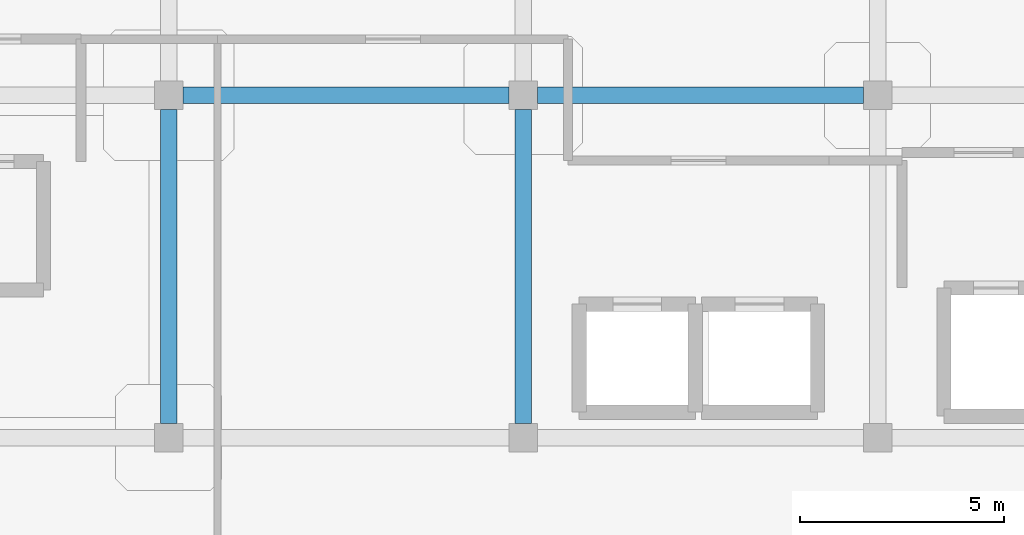
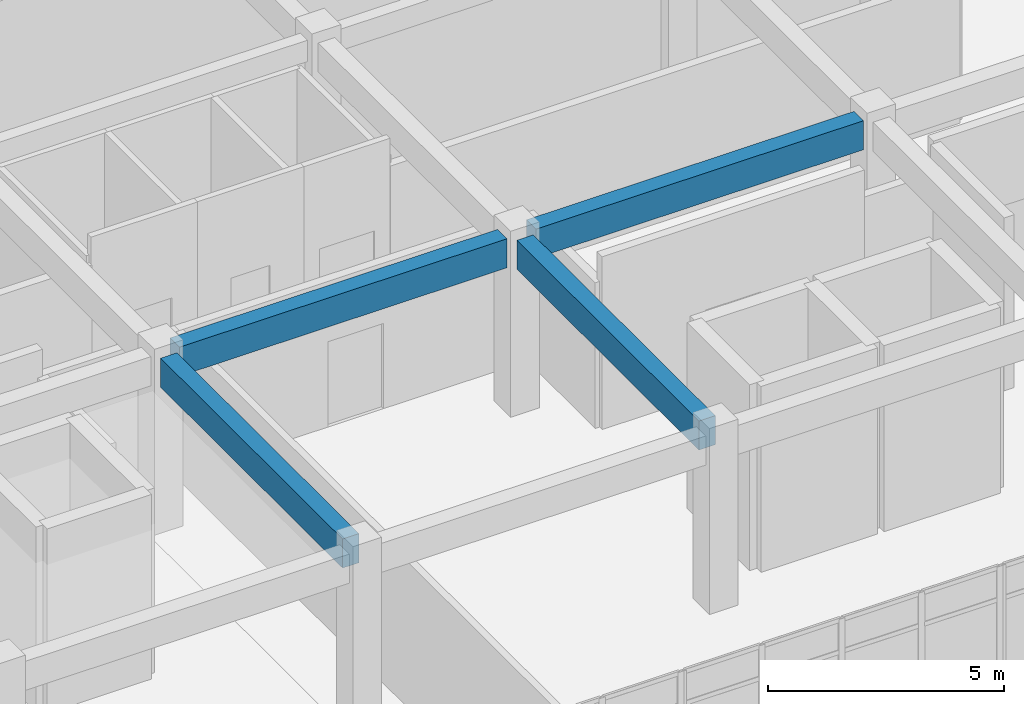
# One storey, part 13 of 64: 4 beams.
"""IFC4 building model written with IfcOpenShell, lengths in metres."""

from ifc_helpers import new_model, si_unit, derived_unit, direction, frame, origin, origin_2d, place, context, subcontext, project, spatial, rectangle, extrude, material, material_profile, profile_set, type_object, element, save


model = new_model("IFC4")

# Units and contexts
model_context = context("Model", 3, precision=1e-05, world=origin(), true_north=direction((0.0, 1.0)))
body_context = subcontext(model_context, "Body", "Model", "MODEL_VIEW")
ifc_project = project(units=[si_unit("LENGTHUNIT", "METRE"), si_unit("AREAUNIT", "SQUARE_METRE"), si_unit("VOLUMEUNIT", "CUBIC_METRE"), si_unit("PLANEANGLEUNIT", "RADIAN"), si_unit("MASSUNIT", "GRAM", prefix="KILO"), derived_unit("THERMALTRANSMITTANCEUNIT", [(si_unit("MASSUNIT", "GRAM", prefix="KILO"), 1), (si_unit("TIMEUNIT", "SECOND"), -3), (si_unit("THERMODYNAMICTEMPERATUREUNIT", "KELVIN"), -1)])], contexts=[model_context])

# Site, building, storey
site_placement = place(None, origin())
site = spatial("IfcSite", under=ifc_project, at=site_placement, CompositionType="ELEMENT")
building_placement = place(site_placement, origin())
building = spatial("IfcBuilding", under=site, at=building_placement, Name="Qinzheling Arcade Emporium", CompositionType="ELEMENT")
storey_placement = place(building_placement, frame((0.0, 0.0, 31.5)))
storey = spatial("IfcBuildingStorey", under=building, at=storey_placement, Name="L07", CompositionType="ELEMENT", Elevation=31.5)

# Beams
ifc_material = material(Name="Concrete C40", Category="concrete")
ifc_material_profile = material_profile(ifc_material, rectangle(XDim=0.39990234375, YDim=0.75, at=origin_2d()), Name="RC 400x750", Category="concrete")
ifc_profile_set = profile_set([ifc_material_profile], Name="Concrete C40")
beam_type = type_object("IfcBeamType", Name="RC Interior Tie Beam 400x750 C40", PredefinedType="BEAM", material=ifc_profile_set)
for number, where, z_axis, x_axis, name in (
    (1, (35.14990234375, 33.60009765625, 4.14501953125), (1.0, 0.0, 0.0), (0.0, 1.0, 0.0), "Beam BM-L07-X-E-5"),
    (2, (43.85009765625, 33.60009765625, 4.14501953125), (1.0, 0.0, 0.0), (0.0, 1.0, 0.0), "Beam BM-L07-X-E-6"),
):
    element("IfcBeam", number, at=place(storey_placement, frame(where, z_axis=z_axis, x_axis=x_axis)), inside=storey, type_object=beam_type, Name=name, PredefinedType="BEAM", context=body_context, shape_type="SweptSolid", body=[
        extrude(rectangle(XDim=0.39990234375, YDim=0.75, at=origin_2d()), origin(), (0.0, 0.0, 1.0), 8.0),
    ])
for number, where, z_axis, x_axis, name in (
    (3, (34.800048828125, 25.550048828125, 4.14501953125), (0.0, 1.0, 0.0), (-1.0, 0.0, 0.0), "Beam BM-L07-Y-5-D"),
    (4, (43.5, 25.550048828125, 4.14501953125), (0.0, 1.0, 0.0), (-1.0, 0.0, 0.0), "Beam BM-L07-Y-6-D"),
):
    element("IfcBeam", number, at=place(storey_placement, frame(where, z_axis=z_axis, x_axis=x_axis)), inside=storey, type_object=beam_type, Name=name, PredefinedType="BEAM", context=body_context, shape_type="SweptSolid", body=[
        extrude(rectangle(XDim=0.39990234375, YDim=0.75, at=origin_2d()), origin(), (0.0, 0.0, 1.0), 7.699951171875),
    ])

save(model, "model.ifc")
